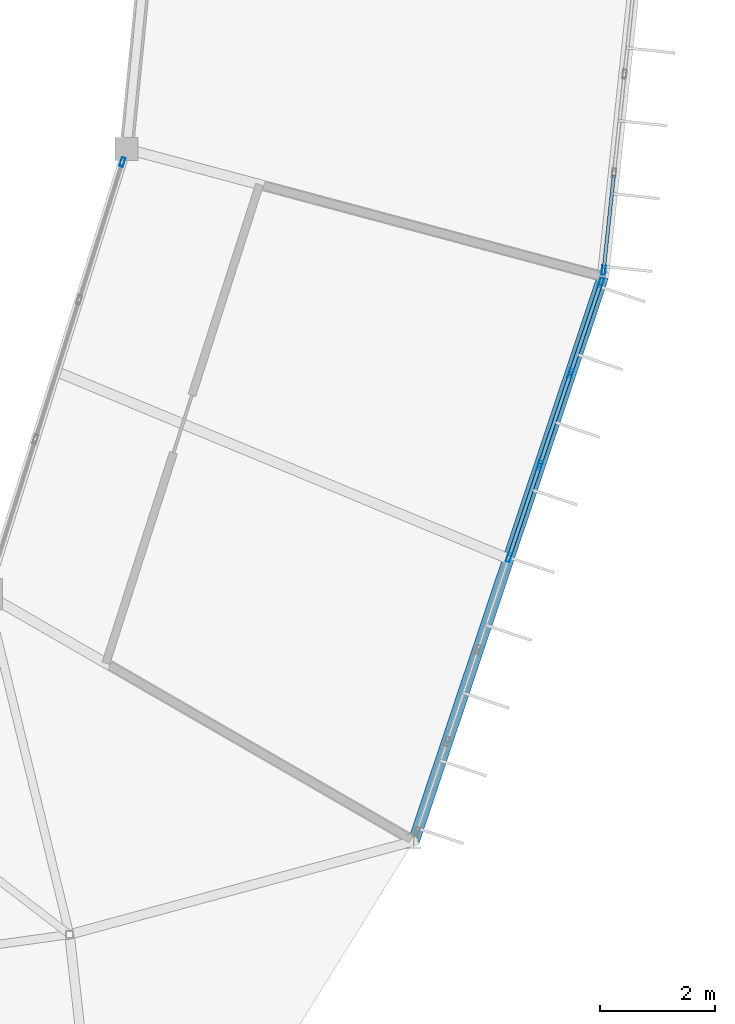
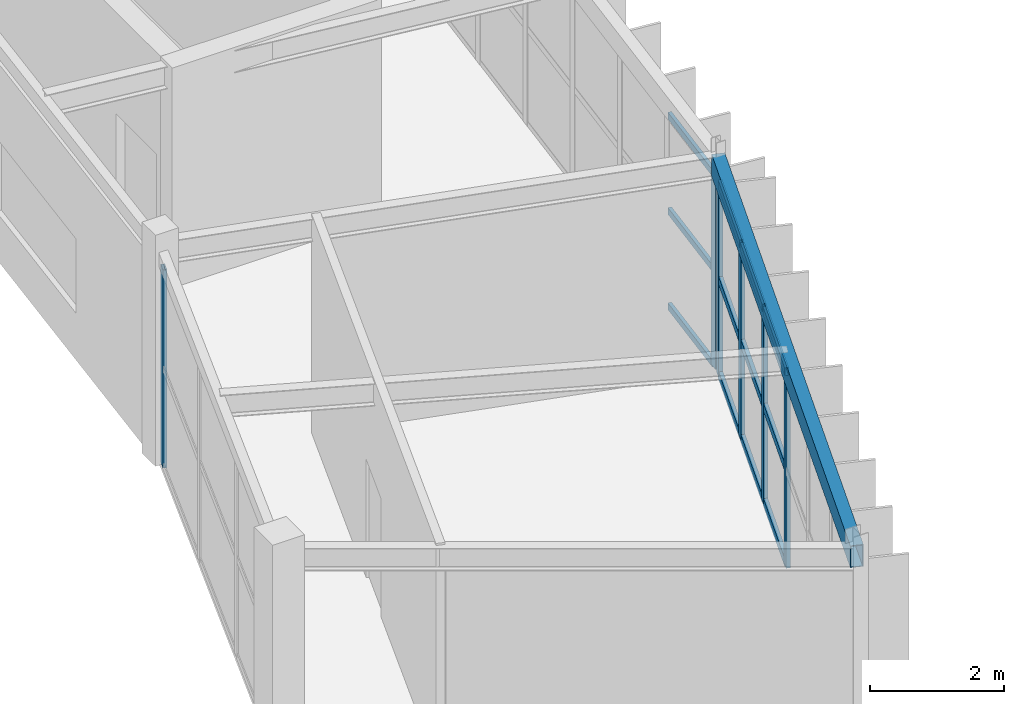
# One storey, part 25 of 66: 18 members, 1 beam, 3 elements without a shape of their own.
"""IFC4 building model written with IfcOpenShell, lengths in metres."""

from ifc_helpers import new_model, si_unit, direction, frame, origin, origin_2d, place, context, subcontext, project, spatial, hollow_rectangle, extrude, material, material_profile, profile_set, type_object, element, aggregate, save


model = new_model("IFC4")

# Units and contexts
model_context = context("Model", 3, precision=1e-05, world=origin(), true_north=direction((0.0, 1.0)))
body_context = subcontext(model_context, "Body", "Model", "MODEL_VIEW")
ifc_project = project(units=[si_unit("LENGTHUNIT", "METRE"), si_unit("AREAUNIT", "SQUARE_METRE"), si_unit("VOLUMEUNIT", "CUBIC_METRE"), si_unit("PLANEANGLEUNIT", "RADIAN"), si_unit("MASSUNIT", "GRAM", prefix="KILO")], contexts=[model_context])

# Site, building, storey
site_placement = place(None, origin())
site = spatial("IfcSite", under=ifc_project, at=site_placement, CompositionType="ELEMENT")
building_placement = place(site_placement, origin())
building = spatial("IfcBuilding", under=site, at=building_placement, Name="Karori Crest Natural Sciences Institute", CompositionType="ELEMENT")
storey_placement = place(building_placement, frame((0.0, 0.0, 30.10009765625)))
storey = spatial("IfcBuildingStorey", under=building, at=storey_placement, Name="L07", CompositionType="ELEMENT", Elevation=30.10009765625)

# Beam
ifc_material_1 = material(Name="Hollow structural steel AS/NZS 1163 Grade C350", Category="steel")
ifc_material_profile_1 = material_profile(ifc_material_1, hollow_rectangle(XDim=0.199951171875, YDim=0.39990234375, WallThickness=0.012451171875, at=origin_2d()), Name="RHS400x200x12.5")
ifc_profile_set_1 = profile_set([ifc_material_profile_1], Name="Hollow structural steel AS/NZS 1163 Grade C350")
beam_type = type_object("IfcBeamType", Name="BT-14", PredefinedType="SPANDREL", material=ifc_profile_set_1)
beam_placement = place(storey_placement, frame((94.978759765625, 29.5, 3.739990234375), z_axis=(0.317688324477, 0.948195195353, 0.0), x_axis=(-0.948195195353, 0.317688324477, 0.0)))
element("IfcBeam", 1, at=beam_placement, inside=storey, type_object=beam_type, Name="Beam B-0710", PredefinedType="SPANDREL", context=body_context, shape_type="SweptSolid", body=[
    extrude(hollow_rectangle(XDim=0.199951171875, YDim=0.39990234375, WallThickness=0.012451171875, at=origin_2d()), origin(), (0.0, 0.0, 1.0), 10.377685546875),
])

# Curtain wall, members
ifc_material_2 = material(Name="Anodised architectural aluminium 6063-T6", Category="aluminium")
curtain_wall_type_1 = type_object("IfcCurtainWallType", Name="CWT-03", PredefinedType="NOTDEFINED", material=ifc_material_2)
curtain_wall_1_placement = place(storey_placement, origin())
curtain_wall_1 = element("IfcCurtainWall", 2, at=curtain_wall_1_placement, inside=storey, type_object=curtain_wall_type_1, Name="Curtain wall CW-0240", PredefinedType="NOTDEFINED")
ifc_material_profile_2 = material_profile(ifc_material_2, hollow_rectangle(XDim=0.06494140625, YDim=0.159912109375, WallThickness=0.00390625, at=origin_2d()), Name="CWM160x65x4")
ifc_profile_set_2 = profile_set([ifc_material_profile_2], Name="Anodised architectural aluminium 6063-T6")
member_type_1 = type_object("IfcMemberType", Name="CWM-01", PredefinedType="MULLION", material=ifc_profile_set_2)
member_1_placement = place(storey_placement, frame((98.23876953125, 39.230224609375, 0.0), z_axis=(0.0, 0.0, 1.0), x_axis=(0.94819805026, -0.317679803392, 0.0)))
member_1 = element("IfcMember", 3, at=member_1_placement, type_object=member_type_1, Name="CW-0240 mullion 1", PredefinedType="MULLION", context=body_context, shape_type="SweptSolid", body=[
    extrude(hollow_rectangle(XDim=0.06494140625, YDim=0.159912109375, WallThickness=0.00390625, at=origin_2d()), origin(), (0.0, 0.0, 1.0), 3.52490234375),
])
member_2_placement = place(storey_placement, frame((97.7109375, 37.655029296875, 0.0), z_axis=(0.0, 0.0, 1.0), x_axis=(0.94819805026, -0.317679803392, 0.0)))
member_2 = element("IfcMember", 4, at=member_2_placement, type_object=member_type_1, Name="CW-0240 mullion 2", PredefinedType="MULLION", context=body_context, shape_type="SweptSolid", body=[
    extrude(hollow_rectangle(XDim=0.06494140625, YDim=0.159912109375, WallThickness=0.00390625, at=origin_2d()), origin(), (0.0, 0.0, 1.0), 3.52490234375),
])
member_3_placement = place(storey_placement, frame((97.1728515625, 36.049072265625, 0.0), z_axis=(0.0, 0.0, 1.0), x_axis=(0.94819805026, -0.317679803392, 0.0)))
member_3 = element("IfcMember", 5, at=member_3_placement, type_object=member_type_1, Name="CW-0240 mullion 3", PredefinedType="MULLION", context=body_context, shape_type="SweptSolid", body=[
    extrude(hollow_rectangle(XDim=0.06494140625, YDim=0.159912109375, WallThickness=0.00390625, at=origin_2d()), origin(), (0.0, 0.0, 1.0), 3.52490234375),
])
member_4_placement = place(storey_placement, frame((96.635009765625, 34.443115234375, 0.0), z_axis=(0.0, 0.0, 1.0), x_axis=(0.94819805026, -0.317679803392, 0.0)))
member_4 = element("IfcMember", 6, at=member_4_placement, type_object=member_type_1, Name="CW-0240 mullion 4", PredefinedType="MULLION", context=body_context, shape_type="SweptSolid", body=[
    extrude(hollow_rectangle(XDim=0.06494140625, YDim=0.159912109375, WallThickness=0.00390625, at=origin_2d()), origin(), (0.0, 0.0, 1.0), 3.52490234375),
])

# Curtain wall, member
curtain_wall_type_2 = type_object("IfcCurtainWallType", Name="CWT-13", PredefinedType="NOTDEFINED", material=ifc_material_2)
curtain_wall_2_placement = place(storey_placement, origin())
curtain_wall_2 = element("IfcCurtainWall", 7, at=curtain_wall_2_placement, inside=storey, type_object=curtain_wall_type_2, Name="Curtain wall CW-0241", PredefinedType="NOTDEFINED")
member_5_placement = place(storey_placement, frame((89.896728515625, 41.3369140625, 0.0), z_axis=(0.0, 0.0, 1.0), x_axis=(-0.954104067778, 0.299475254154, 0.0)))
member_5 = element("IfcMember", 8, at=member_5_placement, type_object=member_type_1, Name="CW-0241 mullion 4", PredefinedType="MULLION", context=body_context, shape_type="SweptSolid", body=[
    extrude(hollow_rectangle(XDim=0.06494140625, YDim=0.159912109375, WallThickness=0.00390625, at=origin_2d()), origin(), (0.0, 0.0, 1.0), 3.599853515625),
])
aggregate(curtain_wall_2, [member_5])

# Curtain wall, members
curtain_wall_type_3 = type_object("IfcCurtainWallType", Name="CWT-04", PredefinedType="NOTDEFINED", material=ifc_material_2)
curtain_wall_3_placement = place(storey_placement, origin())
curtain_wall_3 = element("IfcCurtainWall", 9, at=curtain_wall_3_placement, inside=storey, type_object=curtain_wall_type_3, Name="Curtain wall CW-0242", PredefinedType="NOTDEFINED")
member_6_placement = place(storey_placement, frame((98.287353515625, 39.45166015625, 0.0), z_axis=(0.0, 0.0, 1.0), x_axis=(0.994378309998, -0.105885677057, 0.0)))
member_6 = element("IfcMember", 10, at=member_6_placement, type_object=member_type_1, Name="CW-0242 mullion 7", PredefinedType="MULLION", context=body_context, shape_type="SweptSolid", body=[
    extrude(hollow_rectangle(XDim=0.06494140625, YDim=0.159912109375, WallThickness=0.00390625, at=origin_2d()), origin(), (0.0, 0.0, 1.0), 3.52490234375),
])
ifc_material_profile_3 = material_profile(ifc_material_2, hollow_rectangle(XDim=0.06005859375, YDim=0.1201171875, WallThickness=0.00390625, at=origin_2d()), Name="CWT120x60x4")
ifc_profile_set_3 = profile_set([ifc_material_profile_3], Name="Anodised architectural aluminium 6063-T6")
member_type_2 = type_object("IfcMemberType", Name="CWT-TR1", PredefinedType="USERDEFINED", material=ifc_profile_set_3)
member_7_placement = place(storey_placement, frame((98.46435546875, 41.112548828125, 0.02978515625), z_axis=(-0.1059804823, -0.994368210157, 0.0), x_axis=(0.994368210157, -0.1059804823, 0.0)))
member_7 = element("IfcMember", 11, at=member_7_placement, type_object=member_type_2, Name="CW-0242 transom 6.1", ObjectType="TRANSOM", PredefinedType="USERDEFINED", context=body_context, shape_type="SweptSolid", body=[
    extrude(hollow_rectangle(XDim=0.06005859375, YDim=0.1201171875, WallThickness=0.00390625, at=origin_2d()), origin(), (0.0, 0.0, 1.0), 1.637939453125),
])
member_8_placement = place(storey_placement, frame((98.46435546875, 41.112548828125, 1.762451171875), z_axis=(-0.1059804823, -0.994368210157, 0.0), x_axis=(0.994368210157, -0.1059804823, 0.0)))
member_8 = element("IfcMember", 12, at=member_8_placement, type_object=member_type_2, Name="CW-0242 transom 6.2", ObjectType="TRANSOM", PredefinedType="USERDEFINED", context=body_context, shape_type="SweptSolid", body=[
    extrude(hollow_rectangle(XDim=0.06005859375, YDim=0.1201171875, WallThickness=0.00390625, at=origin_2d()), origin(), (0.0, 0.0, 1.0), 1.637939453125),
])
member_9_placement = place(storey_placement, frame((98.46435546875, 41.112548828125, 3.494873046875), z_axis=(-0.1059804823, -0.994368210157, 0.0), x_axis=(0.994368210157, -0.1059804823, 0.0)))
member_9 = element("IfcMember", 13, at=member_9_placement, type_object=member_type_2, Name="CW-0242 transom 6.3", ObjectType="TRANSOM", PredefinedType="USERDEFINED", context=body_context, shape_type="SweptSolid", body=[
    extrude(hollow_rectangle(XDim=0.06005859375, YDim=0.1201171875, WallThickness=0.00390625, at=origin_2d()), origin(), (0.0, 0.0, 1.0), 1.637939453125),
])
aggregate(curtain_wall_3, [member_6, member_7, member_8, member_9])

# Member
ifc_material_profile_4 = material_profile(ifc_material_2, hollow_rectangle(XDim=0.06494140625, YDim=0.14990234375, WallThickness=0.00390625, at=origin_2d()), Name="CWT150x65x4")
ifc_profile_set_4 = profile_set([ifc_material_profile_4], Name="Anodised architectural aluminium 6063-T6")
member_type_3 = type_object("IfcMemberType", Name="CWT-TR2", PredefinedType="USERDEFINED", material=ifc_profile_set_4)
member_10_placement = place(storey_placement, frame((98.228515625, 39.199462890625, 0.032470703125), z_axis=(-0.317695793379, -0.9481926929, 0.0), x_axis=(0.9481926929, -0.317695793379, 0.0)))
member_10 = element("IfcMember", 14, at=member_10_placement, type_object=member_type_3, Name="CW-0240 transom 1.1", ObjectType="TRANSOM", PredefinedType="USERDEFINED", context=body_context, shape_type="SweptSolid", body=[
    extrude(hollow_rectangle(XDim=0.06494140625, YDim=0.14990234375, WallThickness=0.00390625, at=origin_2d()), origin(), (0.0, 0.0, 1.0), 1.59619140625),
])

member_11_placement = place(storey_placement, frame((98.228515625, 39.199462890625, 1.762451171875), z_axis=(-0.317695793379, -0.9481926929, 0.0), x_axis=(0.9481926929, -0.317695793379, 0.0)))
member_11 = element("IfcMember", 15, at=member_11_placement, type_object=member_type_3, Name="CW-0240 transom 1.2", ObjectType="TRANSOM", PredefinedType="USERDEFINED", context=body_context, shape_type="SweptSolid", body=[
    extrude(hollow_rectangle(XDim=0.06494140625, YDim=0.14990234375, WallThickness=0.00390625, at=origin_2d()), origin(), (0.0, 0.0, 1.0), 1.59619140625),
])

member_12_placement = place(storey_placement, frame((98.228515625, 39.199462890625, 3.492431640625), z_axis=(-0.317695793379, -0.9481926929, 0.0), x_axis=(0.9481926929, -0.317695793379, 0.0)))
member_12 = element("IfcMember", 16, at=member_12_placement, type_object=member_type_3, Name="CW-0240 transom 1.3", ObjectType="TRANSOM", PredefinedType="USERDEFINED", context=body_context, shape_type="SweptSolid", body=[
    extrude(hollow_rectangle(XDim=0.06494140625, YDim=0.14990234375, WallThickness=0.00390625, at=origin_2d()), origin(), (0.0, 0.0, 1.0), 1.59619140625),
])

member_13_placement = place(storey_placement, frame((97.70068359375, 37.624267578125, 0.032470703125), z_axis=(-0.317621421426, -0.948217608279, 0.0), x_axis=(0.948217608279, -0.317621421426, 0.0)))
member_13 = element("IfcMember", 17, at=member_13_placement, type_object=member_type_3, Name="CW-0240 transom 2.1", ObjectType="TRANSOM", PredefinedType="USERDEFINED", context=body_context, shape_type="SweptSolid", body=[
    extrude(hollow_rectangle(XDim=0.06494140625, YDim=0.14990234375, WallThickness=0.00390625, at=origin_2d()), origin(), (0.0, 0.0, 1.0), 1.628662109375),
])

member_14_placement = place(storey_placement, frame((97.70068359375, 37.624267578125, 1.762451171875), z_axis=(-0.317621421426, -0.948217608279, 0.0), x_axis=(0.948217608279, -0.317621421426, 0.0)))
member_14 = element("IfcMember", 18, at=member_14_placement, type_object=member_type_3, Name="CW-0240 transom 2.2", ObjectType="TRANSOM", PredefinedType="USERDEFINED", context=body_context, shape_type="SweptSolid", body=[
    extrude(hollow_rectangle(XDim=0.06494140625, YDim=0.14990234375, WallThickness=0.00390625, at=origin_2d()), origin(), (0.0, 0.0, 1.0), 1.628662109375),
])

member_15_placement = place(storey_placement, frame((97.70068359375, 37.624267578125, 3.492431640625), z_axis=(-0.317621421426, -0.948217608279, 0.0), x_axis=(0.948217608279, -0.317621421426, 0.0)))
member_15 = element("IfcMember", 19, at=member_15_placement, type_object=member_type_3, Name="CW-0240 transom 2.3", ObjectType="TRANSOM", PredefinedType="USERDEFINED", context=body_context, shape_type="SweptSolid", body=[
    extrude(hollow_rectangle(XDim=0.06494140625, YDim=0.14990234375, WallThickness=0.00390625, at=origin_2d()), origin(), (0.0, 0.0, 1.0), 1.628662109375),
])

member_16_placement = place(storey_placement, frame((97.16259765625, 36.018310546875, 0.032470703125), z_axis=(-0.317621421426, -0.948217608279, 0.0), x_axis=(0.948217608279, -0.317621421426, 0.0)))
member_16 = element("IfcMember", 20, at=member_16_placement, type_object=member_type_3, Name="CW-0240 transom 3.1", ObjectType="TRANSOM", PredefinedType="USERDEFINED", context=body_context, shape_type="SweptSolid", body=[
    extrude(hollow_rectangle(XDim=0.06494140625, YDim=0.14990234375, WallThickness=0.00390625, at=origin_2d()), origin(), (0.0, 0.0, 1.0), 1.628662109375),
])

member_17_placement = place(storey_placement, frame((97.16259765625, 36.018310546875, 1.762451171875), z_axis=(-0.317621421426, -0.948217608279, 0.0), x_axis=(0.948217608279, -0.317621421426, 0.0)))
member_17 = element("IfcMember", 21, at=member_17_placement, type_object=member_type_3, Name="CW-0240 transom 3.2", ObjectType="TRANSOM", PredefinedType="USERDEFINED", context=body_context, shape_type="SweptSolid", body=[
    extrude(hollow_rectangle(XDim=0.06494140625, YDim=0.14990234375, WallThickness=0.00390625, at=origin_2d()), origin(), (0.0, 0.0, 1.0), 1.628662109375),
])

member_18_placement = place(storey_placement, frame((97.16259765625, 36.018310546875, 3.492431640625), z_axis=(-0.317621421426, -0.948217608279, 0.0), x_axis=(0.948217608279, -0.317621421426, 0.0)))
member_18 = element("IfcMember", 22, at=member_18_placement, type_object=member_type_3, Name="CW-0240 transom 3.3", ObjectType="TRANSOM", PredefinedType="USERDEFINED", context=body_context, shape_type="SweptSolid", body=[
    extrude(hollow_rectangle(XDim=0.06494140625, YDim=0.14990234375, WallThickness=0.00390625, at=origin_2d()), origin(), (0.0, 0.0, 1.0), 1.628662109375),
])

aggregate(curtain_wall_1, [member_1, member_2, member_3, member_4, member_10, member_11, member_12, member_13, member_14, member_15, member_16, member_17, member_18])

save(model, "model.ifc")
